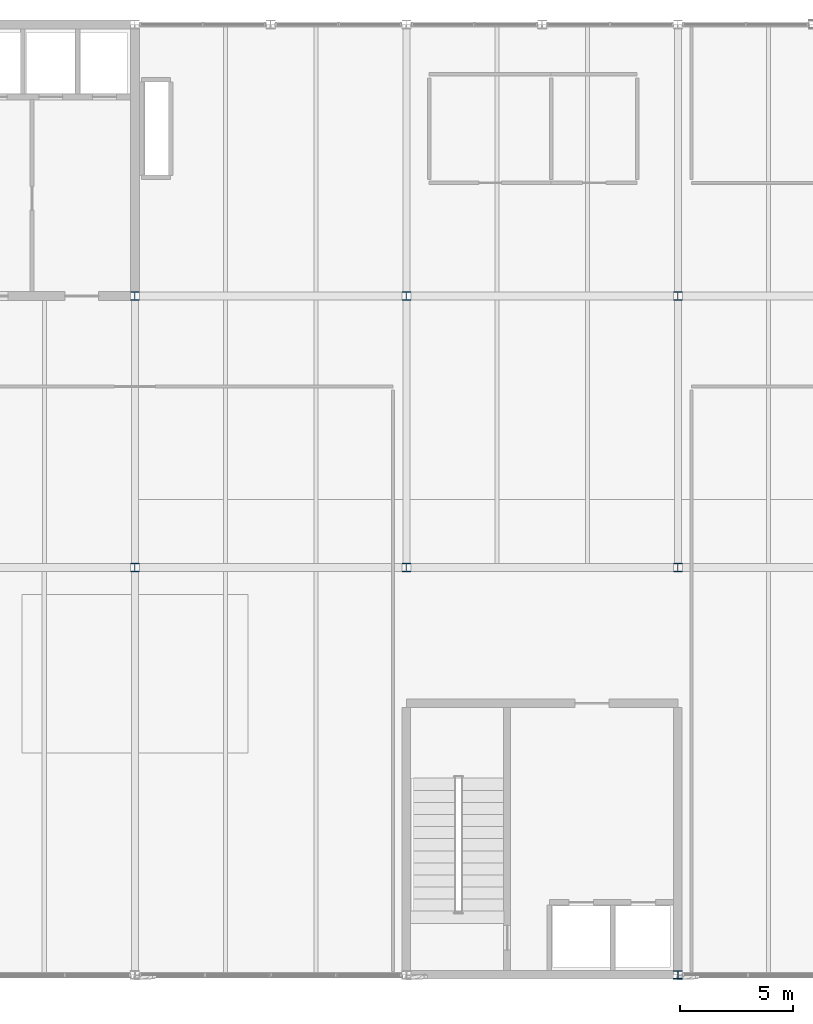
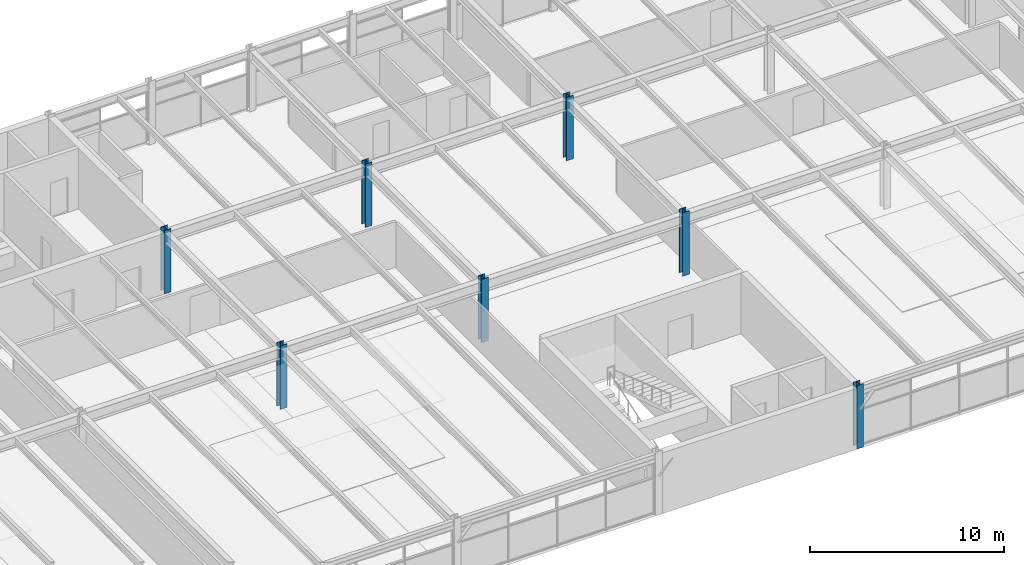
# One storey, part 2 of 51: 7 columns.
"""IFC4 building model written with IfcOpenShell, lengths in metres."""

from ifc_helpers import new_model, si_unit, direction, frame, origin, origin_2d, place, context, subcontext, project, spatial, i_section, extrude, material, material_profile, profile_set, type_object, element, save


model = new_model("IFC4")

# Units and contexts
model_context = context("Model", 3, precision=1e-05, world=origin(), true_north=direction((0.0, 1.0)))
body_context = subcontext(model_context, "Body", "Model", "MODEL_VIEW")
ifc_project = project(units=[si_unit("LENGTHUNIT", "METRE"), si_unit("AREAUNIT", "SQUARE_METRE"), si_unit("VOLUMEUNIT", "CUBIC_METRE"), si_unit("PLANEANGLEUNIT", "RADIAN"), si_unit("MASSUNIT", "GRAM", prefix="KILO")], contexts=[model_context])

# Site, building, storey
site_placement = place(None, origin())
site = spatial("IfcSite", under=ifc_project, at=site_placement, CompositionType="ELEMENT")
building_placement = place(site_placement, origin())
building = spatial("IfcBuilding", under=site, at=building_placement, Name="Girod Span Mobility Hub", CompositionType="ELEMENT")
storey_placement = place(building_placement, frame((0.0, 0.0, 41.60009765625)))
storey = spatial("IfcBuildingStorey", under=building, at=storey_placement, Name="L10", CompositionType="ELEMENT", Elevation=41.60009765625)

# Columns
ifc_material_1 = material(Name="Steel A992 Grade 50", Category="steel")
ifc_material_profile_1 = material_profile(ifc_material_1, i_section(OverallWidth=0.39404296875, OverallDepth=0.375, WebThickness=0.017333984375, FlangeThickness=0.027587890625, FilletRadius=0.01806640625, at=origin_2d()), Name="W14X145")
ifc_profile_set_1 = profile_set([ifc_material_profile_1], Name="Steel A992 Grade 50")
column_type_1 = type_object("IfcColumnType", Name="COL-STL-W14X145", PredefinedType="COLUMN", material=ifc_profile_set_1)
column_placement = place(storey_placement, frame((84.0, 27.0, 0.0), z_axis=(0.0, 0.0, 1.0), x_axis=(1.0, 0.0, 0.0)))
element("IfcColumn", 1, at=column_placement, inside=storey, type_object=column_type_1, Name="Column 8C L10", PredefinedType="COLUMN", context=body_context, shape_type="SweptSolid", body=[
    extrude(i_section(OverallWidth=0.39404296875, OverallDepth=0.375, WebThickness=0.017333984375, FlangeThickness=0.027587890625, FilletRadius=0.01806640625, at=origin_2d()), origin(), (0.0, 0.0, 1.0), 4.0),
])
ifc_material_2 = material(Name="Steel A992 Grade 50", Category="steel")
ifc_material_profile_2 = material_profile(ifc_material_2, i_section(OverallWidth=0.39892578125, OverallDepth=0.39306640625, WebThickness=0.022705078125, FlangeThickness=0.03662109375, FilletRadius=0.01806640625, at=origin_2d()), Name="W14X193")
ifc_profile_set_2 = profile_set([ifc_material_profile_2], Name="Steel A992 Grade 50")
column_type_2 = type_object("IfcColumnType", Name="COL-STL-W14X193", PredefinedType="COLUMN", material=ifc_profile_set_2)
for number, where, z_axis, x_axis, name in (
    (2, (60.0, 45.0, 0.0), (0.0, 0.0, 1.0), (1.0, 0.0, 0.0), "Column 6D L10"),
    (3, (60.0, 57.0, 0.0), (0.0, 0.0, 1.0), (1.0, 0.0, 0.0), "Column 6E L10"),
    (4, (72.0, 45.0, 0.0), (0.0, 0.0, 1.0), (1.0, 0.0, 0.0), "Column 7D L10"),
    (5, (72.0, 57.0, 0.0), (0.0, 0.0, 1.0), (1.0, 0.0, 0.0), "Column 7E L10"),
    (6, (84.0, 45.0, 0.0), (0.0, 0.0, 1.0), (1.0, 0.0, 0.0), "Column 8D L10"),
    (7, (84.0, 57.0, 0.0), (0.0, 0.0, 1.0), (1.0, 0.0, 0.0), "Column 8E L10"),
):
    element("IfcColumn", number, at=place(storey_placement, frame(where, z_axis=z_axis, x_axis=x_axis)), inside=storey, type_object=column_type_2, Name=name, PredefinedType="COLUMN", context=body_context, shape_type="SweptSolid", body=[
        extrude(i_section(OverallWidth=0.39892578125, OverallDepth=0.39306640625, WebThickness=0.022705078125, FlangeThickness=0.03662109375, FilletRadius=0.01806640625, at=origin_2d()), origin(), (0.0, 0.0, 1.0), 4.0),
    ])

save(model, "model.ifc")
